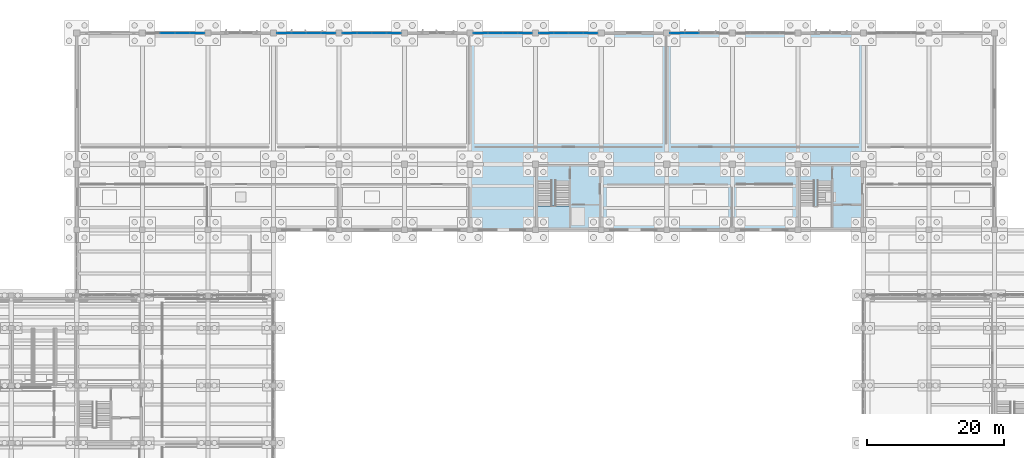
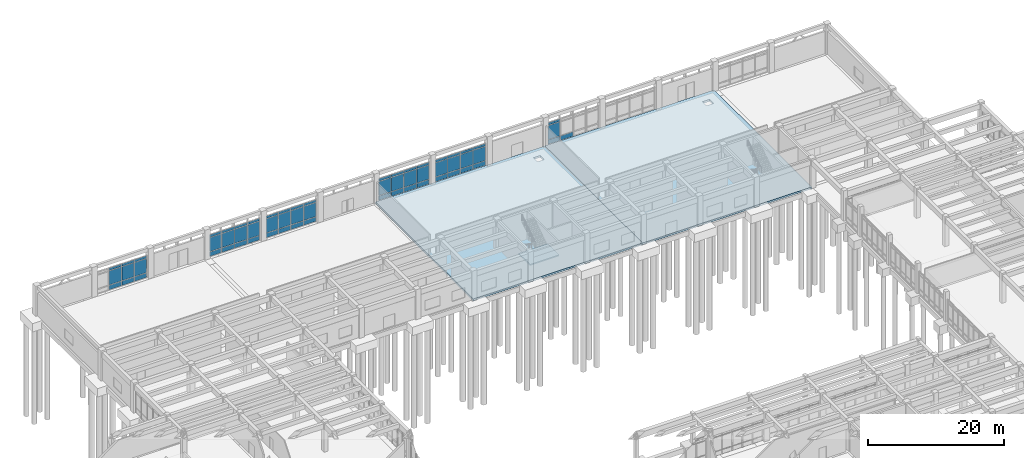
# One storey, part 61 of 102: 61 plates, 3 slabs, 7 elements without a shape of their own.
"""IFC4 building model written with IfcOpenShell, lengths in metres."""

from ifc_helpers import new_model, si_unit, direction, frame, origin, origin_2d, place, context, subcontext, project, spatial, polyline, rectangle, outline, extrude, material, layer, layer_set, type_object, element, aggregate, save


model = new_model("IFC4")

# Units and contexts
model_context = context("Model", 3, precision=1e-05, world=origin(), true_north=direction((0.0, 1.0)))
body_context = subcontext(model_context, "Body", "Model", "MODEL_VIEW")
ifc_project = project(units=[si_unit("LENGTHUNIT", "METRE"), si_unit("AREAUNIT", "SQUARE_METRE"), si_unit("VOLUMEUNIT", "CUBIC_METRE"), si_unit("PLANEANGLEUNIT", "RADIAN"), si_unit("MASSUNIT", "GRAM", prefix="KILO")], contexts=[model_context])

# Site, building, storey
site_placement = place(None, origin())
site = spatial("IfcSite", under=ifc_project, at=site_placement, CompositionType="ELEMENT")
building_placement = place(site_placement, origin())
building = spatial("IfcBuilding", under=site, at=building_placement, Name="Kolvemor Railside Polytechnic", CompositionType="ELEMENT")
storey_placement = place(building_placement, origin())
storey = spatial("IfcBuildingStorey", under=building, at=storey_placement, Name="L00", CompositionType="ELEMENT", Elevation=0.0)

# Curtain wall, plates
ifc_material_1 = material(Name="Anodised marine aluminium and laminated low-E glass", Category="aluminium")
ifc_layer_1 = layer(ifc_material_1, 0.179931640625, Name="CW-UNIT-WKS")
ifc_layer_set_1 = layer_set([ifc_layer_1], Name="Anodised marine aluminium and laminated low-E glass")
curtain_wall_type = type_object("IfcCurtainWallType", Name="CW-UNIT-WKS", PredefinedType="USERDEFINED", material=ifc_layer_set_1)
curtain_wall_1_placement = place(storey_placement, origin())
curtain_wall_1 = element("IfcCurtainWall", 1, at=curtain_wall_1_placement, inside=storey, type_object=curtain_wall_type, Name="Curtain Wall L00-001", ObjectType="UNITISED CURTAIN WALL", PredefinedType="USERDEFINED")
ifc_material_2 = material(Name="Hurricane-laminated solar-control low-E glass", Category="glass")
ifc_layer_2 = layer(ifc_material_2, 0.02587890625, Name="CWP-GLZ-03")
ifc_layer_set_2 = layer_set([ifc_layer_2], Name="Hurricane-laminated solar-control low-E glass")
plate_type_1 = type_object("IfcPlateType", Name="CWP-GLZ-03", PredefinedType="CURTAIN_PANEL", material=ifc_layer_set_2)
plate_1_placement = place(storey_placement, frame((36.828857421875, 120.0, 0.074951171875), z_axis=(0.0, 0.0, 1.0), x_axis=(-1.0, 0.0, 0.0)))
plate_1 = element("IfcPlate", 2, at=plate_1_placement, type_object=plate_type_1, Name="CW-WKS panel 1.1", PredefinedType="CURTAIN_PANEL", context=body_context, shape_type="SweptSolid", body=[
    extrude(rectangle(XDim=2.052490234375, YDim=0.02587890625, at=origin_2d()), origin(), (0.0, 0.0, 1.0), 0.78759765625),
])
plate_2_placement = place(storey_placement, frame((36.828857421875, 120.0, 0.9375), z_axis=(0.0, 0.0, 1.0), x_axis=(-1.0, 0.0, 0.0)))
plate_2 = element("IfcPlate", 3, at=plate_2_placement, type_object=plate_type_1, Name="CW-WKS panel 1.2", PredefinedType="CURTAIN_PANEL", context=body_context, shape_type="SweptSolid", body=[
    extrude(rectangle(XDim=2.052490234375, YDim=0.02587890625, at=origin_2d()), origin(), (0.0, 0.0, 1.0), 2.514892578125),
])
plate_3_placement = place(storey_placement, frame((36.828857421875, 120.0, 3.527587890625), z_axis=(0.0, 0.0, 1.0), x_axis=(-1.0, 0.0, 0.0)))
plate_3 = element("IfcPlate", 4, at=plate_3_placement, type_object=plate_type_1, Name="CW-WKS panel 1.3", PredefinedType="CURTAIN_PANEL", context=body_context, shape_type="SweptSolid", body=[
    extrude(rectangle(XDim=2.052490234375, YDim=0.02587890625, at=origin_2d()), origin(), (0.0, 0.0, 1.0), 0.4375),
])
plate_4_placement = place(storey_placement, frame((34.6826171875, 120.0, 0.074951171875), z_axis=(0.0, 0.0, 1.0), x_axis=(-1.0, 0.0, 0.0)))
plate_4 = element("IfcPlate", 5, at=plate_4_placement, type_object=plate_type_1, Name="CW-WKS panel 2.1", PredefinedType="CURTAIN_PANEL", context=body_context, shape_type="SweptSolid", body=[
    extrude(rectangle(XDim=2.090087890625, YDim=0.02587890625, at=origin_2d()), origin(), (0.0, 0.0, 1.0), 0.78759765625),
])
plate_5_placement = place(storey_placement, frame((34.6826171875, 120.0, 0.9375), z_axis=(0.0, 0.0, 1.0), x_axis=(-1.0, 0.0, 0.0)))
plate_5 = element("IfcPlate", 6, at=plate_5_placement, type_object=plate_type_1, Name="CW-WKS panel 2.2", PredefinedType="CURTAIN_PANEL", context=body_context, shape_type="SweptSolid", body=[
    extrude(rectangle(XDim=2.090087890625, YDim=0.02587890625, at=origin_2d()), origin(), (0.0, 0.0, 1.0), 2.514892578125),
])
plate_6_placement = place(storey_placement, frame((34.6826171875, 120.0, 3.527587890625), z_axis=(0.0, 0.0, 1.0), x_axis=(-1.0, 0.0, 0.0)))
plate_6 = element("IfcPlate", 7, at=plate_6_placement, type_object=plate_type_1, Name="CW-WKS panel 2.3", PredefinedType="CURTAIN_PANEL", context=body_context, shape_type="SweptSolid", body=[
    extrude(rectangle(XDim=2.090087890625, YDim=0.02587890625, at=origin_2d()), origin(), (0.0, 0.0, 1.0), 0.4375),
])
plate_7_placement = place(storey_placement, frame((32.517578125, 120.0, 0.074951171875), z_axis=(0.0, 0.0, 1.0), x_axis=(-1.0, 0.0, 0.0)))
plate_7 = element("IfcPlate", 8, at=plate_7_placement, type_object=plate_type_1, Name="CW-WKS panel 3.1", PredefinedType="CURTAIN_PANEL", context=body_context, shape_type="SweptSolid", body=[
    extrude(rectangle(XDim=2.090087890625, YDim=0.02587890625, at=origin_2d()), origin(), (0.0, 0.0, 1.0), 0.78759765625),
])
plate_8_placement = place(storey_placement, frame((32.517578125, 120.0, 0.9375), z_axis=(0.0, 0.0, 1.0), x_axis=(-1.0, 0.0, 0.0)))
plate_8 = element("IfcPlate", 9, at=plate_8_placement, type_object=plate_type_1, Name="CW-WKS panel 3.2", PredefinedType="CURTAIN_PANEL", context=body_context, shape_type="SweptSolid", body=[
    extrude(rectangle(XDim=2.090087890625, YDim=0.02587890625, at=origin_2d()), origin(), (0.0, 0.0, 1.0), 2.514892578125),
])
plate_9_placement = place(storey_placement, frame((32.517578125, 120.0, 3.527587890625), z_axis=(0.0, 0.0, 1.0), x_axis=(-1.0, 0.0, 0.0)))
plate_9 = element("IfcPlate", 10, at=plate_9_placement, type_object=plate_type_1, Name="CW-WKS panel 3.3", PredefinedType="CURTAIN_PANEL", context=body_context, shape_type="SweptSolid", body=[
    extrude(rectangle(XDim=2.090087890625, YDim=0.02587890625, at=origin_2d()), origin(), (0.0, 0.0, 1.0), 0.4375),
])
aggregate(curtain_wall_1, [plate_1, plate_2, plate_3, plate_4, plate_5, plate_6, plate_7, plate_8, plate_9])

curtain_wall_2_placement = place(storey_placement, origin())
curtain_wall_2 = element("IfcCurtainWall", 11, at=curtain_wall_2_placement, inside=storey, type_object=curtain_wall_type, Name="Curtain Wall L00-004", ObjectType="UNITISED CURTAIN WALL", PredefinedType="USERDEFINED")
ifc_material_3 = material(Name="Hurricane-laminated solar-control low-E glass", Category="glass")
ifc_layer_3 = layer(ifc_material_3, 0.030029296875, Name="CWP-GLZ-05")
ifc_layer_set_3 = layer_set([ifc_layer_3], Name="Hurricane-laminated solar-control low-E glass")
plate_type_2 = type_object("IfcPlateType", Name="CWP-GLZ-05", PredefinedType="CURTAIN_PANEL", material=ifc_layer_set_3)
plate_10_placement = place(storey_placement, frame((56.02880859375, 120.0, 0.074951171875), z_axis=(0.0, 0.0, 1.0), x_axis=(-1.0, 0.0, 0.0)))
plate_10 = element("IfcPlate", 12, at=plate_10_placement, type_object=plate_type_2, Name="CW-WKS panel 1.1", PredefinedType="CURTAIN_PANEL", context=body_context, shape_type="SweptSolid", body=[
    extrude(rectangle(XDim=2.052490234375, YDim=0.030029296875, at=origin_2d()), origin(), (0.0, 0.0, 1.0), 0.78759765625),
])
plate_11_placement = place(storey_placement, frame((56.02880859375, 120.0, 0.9375), z_axis=(0.0, 0.0, 1.0), x_axis=(-1.0, 0.0, 0.0)))
plate_11 = element("IfcPlate", 13, at=plate_11_placement, type_object=plate_type_2, Name="CW-WKS panel 1.2", PredefinedType="CURTAIN_PANEL", context=body_context, shape_type="SweptSolid", body=[
    extrude(rectangle(XDim=2.052490234375, YDim=0.030029296875, at=origin_2d()), origin(), (0.0, 0.0, 1.0), 2.514892578125),
])
plate_12_placement = place(storey_placement, frame((56.02880859375, 120.0, 3.527587890625), z_axis=(0.0, 0.0, 1.0), x_axis=(-1.0, 0.0, 0.0)))
plate_12 = element("IfcPlate", 14, at=plate_12_placement, type_object=plate_type_2, Name="CW-WKS panel 1.3", PredefinedType="CURTAIN_PANEL", context=body_context, shape_type="SweptSolid", body=[
    extrude(rectangle(XDim=2.052490234375, YDim=0.030029296875, at=origin_2d()), origin(), (0.0, 0.0, 1.0), 0.4375),
])
plate_13_placement = place(storey_placement, frame((53.882568359375, 120.0, 0.074951171875), z_axis=(0.0, 0.0, 1.0), x_axis=(-1.0, 0.0, 0.0)))
plate_13 = element("IfcPlate", 15, at=plate_13_placement, type_object=plate_type_2, Name="CW-WKS panel 2.1", PredefinedType="CURTAIN_PANEL", context=body_context, shape_type="SweptSolid", body=[
    extrude(rectangle(XDim=2.090087890625, YDim=0.030029296875, at=origin_2d()), origin(), (0.0, 0.0, 1.0), 0.78759765625),
])
plate_14_placement = place(storey_placement, frame((53.882568359375, 120.0, 0.9375), z_axis=(0.0, 0.0, 1.0), x_axis=(-1.0, 0.0, 0.0)))
plate_14 = element("IfcPlate", 16, at=plate_14_placement, type_object=plate_type_2, Name="CW-WKS panel 2.2", PredefinedType="CURTAIN_PANEL", context=body_context, shape_type="SweptSolid", body=[
    extrude(rectangle(XDim=2.090087890625, YDim=0.030029296875, at=origin_2d()), origin(), (0.0, 0.0, 1.0), 2.514892578125),
])
plate_15_placement = place(storey_placement, frame((53.882568359375, 120.0, 3.527587890625), z_axis=(0.0, 0.0, 1.0), x_axis=(-1.0, 0.0, 0.0)))
plate_15 = element("IfcPlate", 17, at=plate_15_placement, type_object=plate_type_2, Name="CW-WKS panel 2.3", PredefinedType="CURTAIN_PANEL", context=body_context, shape_type="SweptSolid", body=[
    extrude(rectangle(XDim=2.090087890625, YDim=0.030029296875, at=origin_2d()), origin(), (0.0, 0.0, 1.0), 0.4375),
])
plate_16_placement = place(storey_placement, frame((51.717529296875, 120.0, 0.074951171875), z_axis=(0.0, 0.0, 1.0), x_axis=(-1.0, 0.0, 0.0)))
plate_16 = element("IfcPlate", 18, at=plate_16_placement, type_object=plate_type_2, Name="CW-WKS panel 3.1", PredefinedType="CURTAIN_PANEL", context=body_context, shape_type="SweptSolid", body=[
    extrude(rectangle(XDim=2.090087890625, YDim=0.030029296875, at=origin_2d()), origin(), (0.0, 0.0, 1.0), 0.78759765625),
])
plate_17_placement = place(storey_placement, frame((51.717529296875, 120.0, 0.9375), z_axis=(0.0, 0.0, 1.0), x_axis=(-1.0, 0.0, 0.0)))
plate_17 = element("IfcPlate", 19, at=plate_17_placement, type_object=plate_type_2, Name="CW-WKS panel 3.2", PredefinedType="CURTAIN_PANEL", context=body_context, shape_type="SweptSolid", body=[
    extrude(rectangle(XDim=2.090087890625, YDim=0.030029296875, at=origin_2d()), origin(), (0.0, 0.0, 1.0), 2.514892578125),
])
plate_18_placement = place(storey_placement, frame((51.717529296875, 120.0, 3.527587890625), z_axis=(0.0, 0.0, 1.0), x_axis=(-1.0, 0.0, 0.0)))
plate_18 = element("IfcPlate", 20, at=plate_18_placement, type_object=plate_type_2, Name="CW-WKS panel 3.3", PredefinedType="CURTAIN_PANEL", context=body_context, shape_type="SweptSolid", body=[
    extrude(rectangle(XDim=2.090087890625, YDim=0.030029296875, at=origin_2d()), origin(), (0.0, 0.0, 1.0), 0.4375),
])
plate_19_placement = place(storey_placement, frame((49.5712890625, 120.0, 0.074951171875), z_axis=(0.0, 0.0, 1.0), x_axis=(-1.0, 0.0, 0.0)))
plate_19 = element("IfcPlate", 21, at=plate_19_placement, type_object=plate_type_2, Name="CW-WKS panel 4.1", PredefinedType="CURTAIN_PANEL", context=body_context, shape_type="SweptSolid", body=[
    extrude(rectangle(XDim=2.052490234375, YDim=0.030029296875, at=origin_2d()), origin(), (0.0, 0.0, 1.0), 0.78759765625),
])
plate_20_placement = place(storey_placement, frame((49.5712890625, 120.0, 0.9375), z_axis=(0.0, 0.0, 1.0), x_axis=(-1.0, 0.0, 0.0)))
plate_20 = element("IfcPlate", 22, at=plate_20_placement, type_object=plate_type_2, Name="CW-WKS panel 4.2", PredefinedType="CURTAIN_PANEL", context=body_context, shape_type="SweptSolid", body=[
    extrude(rectangle(XDim=2.052490234375, YDim=0.030029296875, at=origin_2d()), origin(), (0.0, 0.0, 1.0), 2.514892578125),
])
plate_21_placement = place(storey_placement, frame((49.5712890625, 120.0, 3.527587890625), z_axis=(0.0, 0.0, 1.0), x_axis=(-1.0, 0.0, 0.0)))
plate_21 = element("IfcPlate", 23, at=plate_21_placement, type_object=plate_type_2, Name="CW-WKS panel 4.3", PredefinedType="CURTAIN_PANEL", context=body_context, shape_type="SweptSolid", body=[
    extrude(rectangle(XDim=2.052490234375, YDim=0.030029296875, at=origin_2d()), origin(), (0.0, 0.0, 1.0), 0.4375),
])
aggregate(curtain_wall_2, [plate_10, plate_11, plate_12, plate_13, plate_14, plate_15, plate_16, plate_17, plate_18, plate_19, plate_20, plate_21])

curtain_wall_3_placement = place(storey_placement, origin())
curtain_wall_3 = element("IfcCurtainWall", 24, at=curtain_wall_3_placement, inside=storey, type_object=curtain_wall_type, Name="Curtain Wall L00-007", ObjectType="UNITISED CURTAIN WALL", PredefinedType="USERDEFINED")
ifc_material_4 = material(Name="Hurricane-laminated solar-control low-E glass", Category="glass")
ifc_layer_4 = layer(ifc_material_4, 0.031982421875, Name="CWP-GLZ-06")
ifc_layer_set_4 = layer_set([ifc_layer_4], Name="Hurricane-laminated solar-control low-E glass")
plate_type_3 = type_object("IfcPlateType", Name="CWP-GLZ-06", PredefinedType="CURTAIN_PANEL", material=ifc_layer_set_4)
plate_22_placement = place(storey_placement, frame((65.628662109375, 120.0, 0.074951171875), z_axis=(0.0, 0.0, 1.0), x_axis=(-1.0, 0.0, 0.0)))
plate_22 = element("IfcPlate", 25, at=plate_22_placement, type_object=plate_type_3, Name="CW-WKS panel 1.1", PredefinedType="CURTAIN_PANEL", context=body_context, shape_type="SweptSolid", body=[
    extrude(rectangle(XDim=2.052490234375, YDim=0.031982421875, at=origin_2d()), origin(), (0.0, 0.0, 1.0), 0.78759765625),
])
plate_23_placement = place(storey_placement, frame((65.628662109375, 120.0, 0.9375), z_axis=(0.0, 0.0, 1.0), x_axis=(-1.0, 0.0, 0.0)))
plate_23 = element("IfcPlate", 26, at=plate_23_placement, type_object=plate_type_3, Name="CW-WKS panel 1.2", PredefinedType="CURTAIN_PANEL", context=body_context, shape_type="SweptSolid", body=[
    extrude(rectangle(XDim=2.052490234375, YDim=0.031982421875, at=origin_2d()), origin(), (0.0, 0.0, 1.0), 2.514892578125),
])
plate_24_placement = place(storey_placement, frame((65.628662109375, 120.0, 3.527587890625), z_axis=(0.0, 0.0, 1.0), x_axis=(-1.0, 0.0, 0.0)))
plate_24 = element("IfcPlate", 27, at=plate_24_placement, type_object=plate_type_3, Name="CW-WKS panel 1.3", PredefinedType="CURTAIN_PANEL", context=body_context, shape_type="SweptSolid", body=[
    extrude(rectangle(XDim=2.052490234375, YDim=0.031982421875, at=origin_2d()), origin(), (0.0, 0.0, 1.0), 0.4375),
])
plate_25_placement = place(storey_placement, frame((63.482421875, 120.0, 0.074951171875), z_axis=(0.0, 0.0, 1.0), x_axis=(-1.0, 0.0, 0.0)))
plate_25 = element("IfcPlate", 28, at=plate_25_placement, type_object=plate_type_3, Name="CW-WKS panel 2.1", PredefinedType="CURTAIN_PANEL", context=body_context, shape_type="SweptSolid", body=[
    extrude(rectangle(XDim=2.090087890625, YDim=0.031982421875, at=origin_2d()), origin(), (0.0, 0.0, 1.0), 0.78759765625),
])
plate_26_placement = place(storey_placement, frame((63.482421875, 120.0, 0.9375), z_axis=(0.0, 0.0, 1.0), x_axis=(-1.0, 0.0, 0.0)))
plate_26 = element("IfcPlate", 29, at=plate_26_placement, type_object=plate_type_3, Name="CW-WKS panel 2.2", PredefinedType="CURTAIN_PANEL", context=body_context, shape_type="SweptSolid", body=[
    extrude(rectangle(XDim=2.090087890625, YDim=0.031982421875, at=origin_2d()), origin(), (0.0, 0.0, 1.0), 2.514892578125),
])
plate_27_placement = place(storey_placement, frame((63.482421875, 120.0, 3.527587890625), z_axis=(0.0, 0.0, 1.0), x_axis=(-1.0, 0.0, 0.0)))
plate_27 = element("IfcPlate", 30, at=plate_27_placement, type_object=plate_type_3, Name="CW-WKS panel 2.3", PredefinedType="CURTAIN_PANEL", context=body_context, shape_type="SweptSolid", body=[
    extrude(rectangle(XDim=2.090087890625, YDim=0.031982421875, at=origin_2d()), origin(), (0.0, 0.0, 1.0), 0.4375),
])
plate_28_placement = place(storey_placement, frame((61.3173828125, 120.0, 0.074951171875), z_axis=(0.0, 0.0, 1.0), x_axis=(-1.0, 0.0, 0.0)))
plate_28 = element("IfcPlate", 31, at=plate_28_placement, type_object=plate_type_3, Name="CW-WKS panel 3.1", PredefinedType="CURTAIN_PANEL", context=body_context, shape_type="SweptSolid", body=[
    extrude(rectangle(XDim=2.090087890625, YDim=0.031982421875, at=origin_2d()), origin(), (0.0, 0.0, 1.0), 0.78759765625),
])
plate_29_placement = place(storey_placement, frame((61.3173828125, 120.0, 0.9375), z_axis=(0.0, 0.0, 1.0), x_axis=(-1.0, 0.0, 0.0)))
plate_29 = element("IfcPlate", 32, at=plate_29_placement, type_object=plate_type_3, Name="CW-WKS panel 3.2", PredefinedType="CURTAIN_PANEL", context=body_context, shape_type="SweptSolid", body=[
    extrude(rectangle(XDim=2.090087890625, YDim=0.031982421875, at=origin_2d()), origin(), (0.0, 0.0, 1.0), 2.514892578125),
])
plate_30_placement = place(storey_placement, frame((61.3173828125, 120.0, 3.527587890625), z_axis=(0.0, 0.0, 1.0), x_axis=(-1.0, 0.0, 0.0)))
plate_30 = element("IfcPlate", 33, at=plate_30_placement, type_object=plate_type_3, Name="CW-WKS panel 3.3", PredefinedType="CURTAIN_PANEL", context=body_context, shape_type="SweptSolid", body=[
    extrude(rectangle(XDim=2.090087890625, YDim=0.031982421875, at=origin_2d()), origin(), (0.0, 0.0, 1.0), 0.4375),
])
plate_31_placement = place(storey_placement, frame((59.171142578125, 120.0, 0.074951171875), z_axis=(0.0, 0.0, 1.0), x_axis=(-1.0, 0.0, 0.0)))
plate_31 = element("IfcPlate", 34, at=plate_31_placement, type_object=plate_type_3, Name="CW-WKS panel 4.1", PredefinedType="CURTAIN_PANEL", context=body_context, shape_type="SweptSolid", body=[
    extrude(rectangle(XDim=2.052490234375, YDim=0.031982421875, at=origin_2d()), origin(), (0.0, 0.0, 1.0), 0.78759765625),
])
plate_32_placement = place(storey_placement, frame((59.171142578125, 120.0, 0.9375), z_axis=(0.0, 0.0, 1.0), x_axis=(-1.0, 0.0, 0.0)))
plate_32 = element("IfcPlate", 35, at=plate_32_placement, type_object=plate_type_3, Name="CW-WKS panel 4.2", PredefinedType="CURTAIN_PANEL", context=body_context, shape_type="SweptSolid", body=[
    extrude(rectangle(XDim=2.052490234375, YDim=0.031982421875, at=origin_2d()), origin(), (0.0, 0.0, 1.0), 2.514892578125),
])
plate_33_placement = place(storey_placement, frame((59.171142578125, 120.0, 3.527587890625), z_axis=(0.0, 0.0, 1.0), x_axis=(-1.0, 0.0, 0.0)))
plate_33 = element("IfcPlate", 36, at=plate_33_placement, type_object=plate_type_3, Name="CW-WKS panel 4.3", PredefinedType="CURTAIN_PANEL", context=body_context, shape_type="SweptSolid", body=[
    extrude(rectangle(XDim=2.052490234375, YDim=0.031982421875, at=origin_2d()), origin(), (0.0, 0.0, 1.0), 0.4375),
])
aggregate(curtain_wall_3, [plate_22, plate_23, plate_24, plate_25, plate_26, plate_27, plate_28, plate_29, plate_30, plate_31, plate_32, plate_33])

curtain_wall_4_placement = place(storey_placement, origin())
curtain_wall_4 = element("IfcCurtainWall", 37, at=curtain_wall_4_placement, inside=storey, type_object=curtain_wall_type, Name="Curtain Wall L00-012", ObjectType="UNITISED CURTAIN WALL", PredefinedType="USERDEFINED")
ifc_material_5 = material(Name="Hurricane-laminated solar-control low-E glass", Category="glass")
ifc_layer_5 = layer(ifc_material_5, 0.035888671875, Name="CWP-GLZ-08")
ifc_layer_set_5 = layer_set([ifc_layer_5], Name="Hurricane-laminated solar-control low-E glass")
plate_type_4 = type_object("IfcPlateType", Name="CWP-GLZ-08", PredefinedType="CURTAIN_PANEL", material=ifc_layer_set_5)
plate_34_placement = place(storey_placement, frame((84.828857421875, 120.0, 0.074951171875), z_axis=(0.0, 0.0, 1.0), x_axis=(-1.0, 0.0, 0.0)))
plate_34 = element("IfcPlate", 38, at=plate_34_placement, type_object=plate_type_4, Name="CW-WKS panel 1.1", PredefinedType="CURTAIN_PANEL", context=body_context, shape_type="SweptSolid", body=[
    extrude(rectangle(XDim=2.052490234375, YDim=0.035888671875, at=origin_2d()), origin(), (0.0, 0.0, 1.0), 0.78759765625),
])
plate_35_placement = place(storey_placement, frame((84.828857421875, 120.0, 0.9375), z_axis=(0.0, 0.0, 1.0), x_axis=(-1.0, 0.0, 0.0)))
plate_35 = element("IfcPlate", 39, at=plate_35_placement, type_object=plate_type_4, Name="CW-WKS panel 1.2", PredefinedType="CURTAIN_PANEL", context=body_context, shape_type="SweptSolid", body=[
    extrude(rectangle(XDim=2.052490234375, YDim=0.035888671875, at=origin_2d()), origin(), (0.0, 0.0, 1.0), 2.514892578125),
])
plate_36_placement = place(storey_placement, frame((84.828857421875, 120.0, 3.527587890625), z_axis=(0.0, 0.0, 1.0), x_axis=(-1.0, 0.0, 0.0)))
plate_36 = element("IfcPlate", 40, at=plate_36_placement, type_object=plate_type_4, Name="CW-WKS panel 1.3", PredefinedType="CURTAIN_PANEL", context=body_context, shape_type="SweptSolid", body=[
    extrude(rectangle(XDim=2.052490234375, YDim=0.035888671875, at=origin_2d()), origin(), (0.0, 0.0, 1.0), 0.4375),
])
plate_37_placement = place(storey_placement, frame((82.6826171875, 120.0, 0.074951171875), z_axis=(0.0, 0.0, 1.0), x_axis=(-1.0, 0.0, 0.0)))
plate_37 = element("IfcPlate", 41, at=plate_37_placement, type_object=plate_type_4, Name="CW-WKS panel 2.1", PredefinedType="CURTAIN_PANEL", context=body_context, shape_type="SweptSolid", body=[
    extrude(rectangle(XDim=2.090087890625, YDim=0.035888671875, at=origin_2d()), origin(), (0.0, 0.0, 1.0), 0.78759765625),
])
plate_38_placement = place(storey_placement, frame((82.6826171875, 120.0, 0.9375), z_axis=(0.0, 0.0, 1.0), x_axis=(-1.0, 0.0, 0.0)))
plate_38 = element("IfcPlate", 42, at=plate_38_placement, type_object=plate_type_4, Name="CW-WKS panel 2.2", PredefinedType="CURTAIN_PANEL", context=body_context, shape_type="SweptSolid", body=[
    extrude(rectangle(XDim=2.090087890625, YDim=0.035888671875, at=origin_2d()), origin(), (0.0, 0.0, 1.0), 2.514892578125),
])
plate_39_placement = place(storey_placement, frame((82.6826171875, 120.0, 3.527587890625), z_axis=(0.0, 0.0, 1.0), x_axis=(-1.0, 0.0, 0.0)))
plate_39 = element("IfcPlate", 43, at=plate_39_placement, type_object=plate_type_4, Name="CW-WKS panel 2.3", PredefinedType="CURTAIN_PANEL", context=body_context, shape_type="SweptSolid", body=[
    extrude(rectangle(XDim=2.090087890625, YDim=0.035888671875, at=origin_2d()), origin(), (0.0, 0.0, 1.0), 0.4375),
])
plate_40_placement = place(storey_placement, frame((80.517578125, 120.0, 0.074951171875), z_axis=(0.0, 0.0, 1.0), x_axis=(-1.0, 0.0, 0.0)))
plate_40 = element("IfcPlate", 44, at=plate_40_placement, type_object=plate_type_4, Name="CW-WKS panel 3.1", PredefinedType="CURTAIN_PANEL", context=body_context, shape_type="SweptSolid", body=[
    extrude(rectangle(XDim=2.090087890625, YDim=0.035888671875, at=origin_2d()), origin(), (0.0, 0.0, 1.0), 0.78759765625),
])
plate_41_placement = place(storey_placement, frame((80.517578125, 120.0, 0.9375), z_axis=(0.0, 0.0, 1.0), x_axis=(-1.0, 0.0, 0.0)))
plate_41 = element("IfcPlate", 45, at=plate_41_placement, type_object=plate_type_4, Name="CW-WKS panel 3.2", PredefinedType="CURTAIN_PANEL", context=body_context, shape_type="SweptSolid", body=[
    extrude(rectangle(XDim=2.090087890625, YDim=0.035888671875, at=origin_2d()), origin(), (0.0, 0.0, 1.0), 2.514892578125),
])
plate_42_placement = place(storey_placement, frame((80.517578125, 120.0, 3.527587890625), z_axis=(0.0, 0.0, 1.0), x_axis=(-1.0, 0.0, 0.0)))
plate_42 = element("IfcPlate", 46, at=plate_42_placement, type_object=plate_type_4, Name="CW-WKS panel 3.3", PredefinedType="CURTAIN_PANEL", context=body_context, shape_type="SweptSolid", body=[
    extrude(rectangle(XDim=2.090087890625, YDim=0.035888671875, at=origin_2d()), origin(), (0.0, 0.0, 1.0), 0.4375),
])
plate_43_placement = place(storey_placement, frame((78.371337890625, 120.0, 0.074951171875), z_axis=(0.0, 0.0, 1.0), x_axis=(-1.0, 0.0, 0.0)))
plate_43 = element("IfcPlate", 47, at=plate_43_placement, type_object=plate_type_4, Name="CW-WKS panel 4.1", PredefinedType="CURTAIN_PANEL", context=body_context, shape_type="SweptSolid", body=[
    extrude(rectangle(XDim=2.052490234375, YDim=0.035888671875, at=origin_2d()), origin(), (0.0, 0.0, 1.0), 0.78759765625),
])
plate_44_placement = place(storey_placement, frame((78.371337890625, 120.0, 0.9375), z_axis=(0.0, 0.0, 1.0), x_axis=(-1.0, 0.0, 0.0)))
plate_44 = element("IfcPlate", 48, at=plate_44_placement, type_object=plate_type_4, Name="CW-WKS panel 4.2", PredefinedType="CURTAIN_PANEL", context=body_context, shape_type="SweptSolid", body=[
    extrude(rectangle(XDim=2.052490234375, YDim=0.035888671875, at=origin_2d()), origin(), (0.0, 0.0, 1.0), 2.514892578125),
])
plate_45_placement = place(storey_placement, frame((78.371337890625, 120.0, 3.527587890625), z_axis=(0.0, 0.0, 1.0), x_axis=(-1.0, 0.0, 0.0)))
plate_45 = element("IfcPlate", 49, at=plate_45_placement, type_object=plate_type_4, Name="CW-WKS panel 4.3", PredefinedType="CURTAIN_PANEL", context=body_context, shape_type="SweptSolid", body=[
    extrude(rectangle(XDim=2.052490234375, YDim=0.035888671875, at=origin_2d()), origin(), (0.0, 0.0, 1.0), 0.4375),
])
aggregate(curtain_wall_4, [plate_34, plate_35, plate_36, plate_37, plate_38, plate_39, plate_40, plate_41, plate_42, plate_43, plate_44, plate_45])

curtain_wall_5_placement = place(storey_placement, origin())
curtain_wall_5 = element("IfcCurtainWall", 50, at=curtain_wall_5_placement, inside=storey, type_object=curtain_wall_type, Name="Curtain Wall L00-015", ObjectType="UNITISED CURTAIN WALL", PredefinedType="USERDEFINED")
ifc_material_6 = material(Name="Hurricane-laminated solar-control low-E glass", Category="glass")
ifc_layer_6 = layer(ifc_material_6, 0.0380859375, Name="CWP-GLZ-09")
ifc_layer_set_6 = layer_set([ifc_layer_6], Name="Hurricane-laminated solar-control low-E glass")
plate_type_5 = type_object("IfcPlateType", Name="CWP-GLZ-09", PredefinedType="CURTAIN_PANEL", material=ifc_layer_set_6)
plate_46_placement = place(storey_placement, frame((94.4287109375, 120.0, 0.074951171875), z_axis=(0.0, 0.0, 1.0), x_axis=(-1.0, 0.0, 0.0)))
plate_46 = element("IfcPlate", 51, at=plate_46_placement, type_object=plate_type_5, Name="CW-WKS panel 1.1", PredefinedType="CURTAIN_PANEL", context=body_context, shape_type="SweptSolid", body=[
    extrude(rectangle(XDim=2.052490234375, YDim=0.0380859375, at=origin_2d()), origin(), (0.0, 0.0, 1.0), 0.78759765625),
])
plate_47_placement = place(storey_placement, frame((94.4287109375, 120.0, 0.9375), z_axis=(0.0, 0.0, 1.0), x_axis=(-1.0, 0.0, 0.0)))
plate_47 = element("IfcPlate", 52, at=plate_47_placement, type_object=plate_type_5, Name="CW-WKS panel 1.2", PredefinedType="CURTAIN_PANEL", context=body_context, shape_type="SweptSolid", body=[
    extrude(rectangle(XDim=2.052490234375, YDim=0.0380859375, at=origin_2d()), origin(), (0.0, 0.0, 1.0), 2.514892578125),
])
plate_48_placement = place(storey_placement, frame((94.4287109375, 120.0, 3.527587890625), z_axis=(0.0, 0.0, 1.0), x_axis=(-1.0, 0.0, 0.0)))
plate_48 = element("IfcPlate", 53, at=plate_48_placement, type_object=plate_type_5, Name="CW-WKS panel 1.3", PredefinedType="CURTAIN_PANEL", context=body_context, shape_type="SweptSolid", body=[
    extrude(rectangle(XDim=2.052490234375, YDim=0.0380859375, at=origin_2d()), origin(), (0.0, 0.0, 1.0), 0.4375),
])
plate_49_placement = place(storey_placement, frame((92.282470703125, 120.0, 0.074951171875), z_axis=(0.0, 0.0, 1.0), x_axis=(-1.0, 0.0, 0.0)))
plate_49 = element("IfcPlate", 54, at=plate_49_placement, type_object=plate_type_5, Name="CW-WKS panel 2.1", PredefinedType="CURTAIN_PANEL", context=body_context, shape_type="SweptSolid", body=[
    extrude(rectangle(XDim=2.090087890625, YDim=0.0380859375, at=origin_2d()), origin(), (0.0, 0.0, 1.0), 0.78759765625),
])
plate_50_placement = place(storey_placement, frame((92.282470703125, 120.0, 0.9375), z_axis=(0.0, 0.0, 1.0), x_axis=(-1.0, 0.0, 0.0)))
plate_50 = element("IfcPlate", 55, at=plate_50_placement, type_object=plate_type_5, Name="CW-WKS panel 2.2", PredefinedType="CURTAIN_PANEL", context=body_context, shape_type="SweptSolid", body=[
    extrude(rectangle(XDim=2.090087890625, YDim=0.0380859375, at=origin_2d()), origin(), (0.0, 0.0, 1.0), 2.514892578125),
])
plate_51_placement = place(storey_placement, frame((92.282470703125, 120.0, 3.527587890625), z_axis=(0.0, 0.0, 1.0), x_axis=(-1.0, 0.0, 0.0)))
plate_51 = element("IfcPlate", 56, at=plate_51_placement, type_object=plate_type_5, Name="CW-WKS panel 2.3", PredefinedType="CURTAIN_PANEL", context=body_context, shape_type="SweptSolid", body=[
    extrude(rectangle(XDim=2.090087890625, YDim=0.0380859375, at=origin_2d()), origin(), (0.0, 0.0, 1.0), 0.4375),
])
plate_52_placement = place(storey_placement, frame((90.117431640625, 120.0, 0.074951171875), z_axis=(0.0, 0.0, 1.0), x_axis=(-1.0, 0.0, 0.0)))
plate_52 = element("IfcPlate", 57, at=plate_52_placement, type_object=plate_type_5, Name="CW-WKS panel 3.1", PredefinedType="CURTAIN_PANEL", context=body_context, shape_type="SweptSolid", body=[
    extrude(rectangle(XDim=2.090087890625, YDim=0.0380859375, at=origin_2d()), origin(), (0.0, 0.0, 1.0), 0.78759765625),
])
plate_53_placement = place(storey_placement, frame((90.117431640625, 120.0, 0.9375), z_axis=(0.0, 0.0, 1.0), x_axis=(-1.0, 0.0, 0.0)))
plate_53 = element("IfcPlate", 58, at=plate_53_placement, type_object=plate_type_5, Name="CW-WKS panel 3.2", PredefinedType="CURTAIN_PANEL", context=body_context, shape_type="SweptSolid", body=[
    extrude(rectangle(XDim=2.090087890625, YDim=0.0380859375, at=origin_2d()), origin(), (0.0, 0.0, 1.0), 2.514892578125),
])
plate_54_placement = place(storey_placement, frame((90.117431640625, 120.0, 3.527587890625), z_axis=(0.0, 0.0, 1.0), x_axis=(-1.0, 0.0, 0.0)))
plate_54 = element("IfcPlate", 59, at=plate_54_placement, type_object=plate_type_5, Name="CW-WKS panel 3.3", PredefinedType="CURTAIN_PANEL", context=body_context, shape_type="SweptSolid", body=[
    extrude(rectangle(XDim=2.090087890625, YDim=0.0380859375, at=origin_2d()), origin(), (0.0, 0.0, 1.0), 0.4375),
])
plate_55_placement = place(storey_placement, frame((87.97119140625, 120.0, 0.074951171875), z_axis=(0.0, 0.0, 1.0), x_axis=(-1.0, 0.0, 0.0)))
plate_55 = element("IfcPlate", 60, at=plate_55_placement, type_object=plate_type_5, Name="CW-WKS panel 4.1", PredefinedType="CURTAIN_PANEL", context=body_context, shape_type="SweptSolid", body=[
    extrude(rectangle(XDim=2.052490234375, YDim=0.0380859375, at=origin_2d()), origin(), (0.0, 0.0, 1.0), 0.78759765625),
])
plate_56_placement = place(storey_placement, frame((87.97119140625, 120.0, 0.9375), z_axis=(0.0, 0.0, 1.0), x_axis=(-1.0, 0.0, 0.0)))
plate_56 = element("IfcPlate", 61, at=plate_56_placement, type_object=plate_type_5, Name="CW-WKS panel 4.2", PredefinedType="CURTAIN_PANEL", context=body_context, shape_type="SweptSolid", body=[
    extrude(rectangle(XDim=2.052490234375, YDim=0.0380859375, at=origin_2d()), origin(), (0.0, 0.0, 1.0), 2.514892578125),
])
plate_57_placement = place(storey_placement, frame((87.97119140625, 120.0, 3.527587890625), z_axis=(0.0, 0.0, 1.0), x_axis=(-1.0, 0.0, 0.0)))
plate_57 = element("IfcPlate", 62, at=plate_57_placement, type_object=plate_type_5, Name="CW-WKS panel 4.3", PredefinedType="CURTAIN_PANEL", context=body_context, shape_type="SweptSolid", body=[
    extrude(rectangle(XDim=2.052490234375, YDim=0.0380859375, at=origin_2d()), origin(), (0.0, 0.0, 1.0), 0.4375),
])
aggregate(curtain_wall_5, [plate_46, plate_47, plate_48, plate_49, plate_50, plate_51, plate_52, plate_53, plate_54, plate_55, plate_56, plate_57])

curtain_wall_6_placement = place(storey_placement, origin())
curtain_wall_6 = element("IfcCurtainWall", 63, at=curtain_wall_6_placement, inside=storey, type_object=curtain_wall_type, Name="Curtain Wall L00-019", ObjectType="UNITISED CURTAIN WALL", PredefinedType="USERDEFINED")
ifc_material_7 = material(Name="Hurricane-laminated solar-control low-E glass", Category="glass")
ifc_layer_7 = layer(ifc_material_7, 0.0419921875, Name="CWP-GLZ-11")
ifc_layer_set_7 = layer_set([ifc_layer_7], Name="Hurricane-laminated solar-control low-E glass")
plate_type_6 = type_object("IfcPlateType", Name="CWP-GLZ-11", PredefinedType="CURTAIN_PANEL", material=ifc_layer_set_7)
plate_58_placement = place(storey_placement, frame((109.3173828125, 120.0, 0.074951171875), z_axis=(0.0, 0.0, 1.0), x_axis=(-1.0, 0.0, 0.0)))
plate_58 = element("IfcPlate", 64, at=plate_58_placement, type_object=plate_type_6, Name="CW-WKS panel 3.1", PredefinedType="CURTAIN_PANEL", context=body_context, shape_type="SweptSolid", body=[
    extrude(rectangle(XDim=2.090087890625, YDim=0.0419921875, at=origin_2d()), origin(), (0.0, 0.0, 1.0), 0.78759765625),
])
plate_59_placement = place(storey_placement, frame((107.171142578125, 120.0, 0.074951171875), z_axis=(0.0, 0.0, 1.0), x_axis=(-1.0, 0.0, 0.0)))
plate_59 = element("IfcPlate", 65, at=plate_59_placement, type_object=plate_type_6, Name="CW-WKS panel 4.1", PredefinedType="CURTAIN_PANEL", context=body_context, shape_type="SweptSolid", body=[
    extrude(rectangle(XDim=2.052490234375, YDim=0.0419921875, at=origin_2d()), origin(), (0.0, 0.0, 1.0), 0.78759765625),
])
plate_60_placement = place(storey_placement, frame((107.171142578125, 120.0, 0.9375), z_axis=(0.0, 0.0, 1.0), x_axis=(-1.0, 0.0, 0.0)))
plate_60 = element("IfcPlate", 66, at=plate_60_placement, type_object=plate_type_6, Name="CW-WKS panel 4.2", PredefinedType="CURTAIN_PANEL", context=body_context, shape_type="SweptSolid", body=[
    extrude(rectangle(XDim=2.052490234375, YDim=0.0419921875, at=origin_2d()), origin(), (0.0, 0.0, 1.0), 2.514892578125),
])
plate_61_placement = place(storey_placement, frame((107.171142578125, 120.0, 3.527587890625), z_axis=(0.0, 0.0, 1.0), x_axis=(-1.0, 0.0, 0.0)))
plate_61 = element("IfcPlate", 67, at=plate_61_placement, type_object=plate_type_6, Name="CW-WKS panel 4.3", PredefinedType="CURTAIN_PANEL", context=body_context, shape_type="SweptSolid", body=[
    extrude(rectangle(XDim=2.052490234375, YDim=0.0419921875, at=origin_2d()), origin(), (0.0, 0.0, 1.0), 0.4375),
])
aggregate(curtain_wall_6, [plate_58, plate_59, plate_60, plate_61])

# Slabs
ifc_material_8 = material(Name="Concrete C40/50", Category="concrete")
ifc_layer_8 = layer(ifc_material_8, 0.35009765625, Name="SLB-BASE-WKS")
ifc_layer_set_8 = layer_set([ifc_layer_8], Name="Concrete C40/50")
slab_type_1 = type_object("IfcSlabType", Name="SLB-BASE-WKS", PredefinedType="BASESLAB", material=ifc_layer_set_8)
slab_1_placement = place(storey_placement, frame((0.0, 0.0, -0.35009765625)))
element("IfcSlab", 68, at=slab_1_placement, inside=storey, type_object=slab_type_1, Name="Workshop Base Slab L00-03", PredefinedType="BASESLAB", context=body_context, shape_type="SweptSolid", body=[
    extrude(outline(polyline([(76.800048828125, 91.199951171875), (105.60009765625, 91.199951171875), (105.60009765625, 120.0), (76.800048828125, 120.0), (76.800048828125, 91.199951171875)]), holes=[polyline([(102.60009765625, 117.0), (103.800048828125, 117.0), (103.800048828125, 118.199951171875), (102.60009765625, 118.199951171875), (102.60009765625, 117.0)])]), origin(), (0.0, 0.0, 1.0), 0.35009765625),
])
slab_2_placement = place(storey_placement, frame((0.0, 0.0, -0.35009765625)))
element("IfcSlab", 69, at=slab_2_placement, inside=storey, type_object=slab_type_1, Name="Workshop Base Slab L00-04", PredefinedType="BASESLAB", context=body_context, shape_type="SweptSolid", body=[
    extrude(outline(polyline([(105.60009765625, 91.199951171875), (134.39990234375, 91.199951171875), (134.39990234375, 120.0), (105.60009765625, 120.0), (105.60009765625, 91.199951171875)]), holes=[polyline([(131.39990234375, 117.0), (132.60009765625, 117.0), (132.60009765625, 118.199951171875), (131.39990234375, 118.199951171875), (131.39990234375, 117.0)])]), origin(), (0.0, 0.0, 1.0), 0.35009765625),
])

# Stair, slab
ifc_material_9 = material(Name="Concrete C40/50", Category="concrete")
stair_type = type_object("IfcStairType", Name="STR-CORE-540", PredefinedType="HALF_TURN_STAIR", material=ifc_material_9)
stair_placement = place(storey_placement, origin())
stair = element("IfcStair", 70, at=stair_placement, inside=storey, type_object=stair_type, Name="Core Stair ST-8 (L00 to L01)", PredefinedType="HALF_TURN_STAIR")
ifc_material_10 = material(Name="Concrete C40/50", Category="concrete")
ifc_layer_9 = layer(ifc_material_10, 0.199951171875, Name="SLB-LND-200")
ifc_layer_set_9 = layer_set([ifc_layer_9], Name="Concrete C40/50")
slab_type_2 = type_object("IfcSlabType", Name="SLB-LND-200", PredefinedType="LANDING", material=ifc_layer_set_9)
slab_3_placement = place(storey_placement, frame((0.0, 0.0, 2.5)))
slab_3 = element("IfcSlab", 71, at=slab_3_placement, type_object=slab_type_2, Name="ST-8-L00 landing 1", PredefinedType="LANDING", context=body_context, shape_type="SweptSolid", body=[
    extrude(outline(polyline([(86.550048828125, 91.35009765625), (91.5, 91.35009765625), (91.5, 94.719970703125), (86.550048828125, 94.719970703125), (86.550048828125, 91.35009765625)])), origin(), (0.0, 0.0, 1.0), 0.199951171875),
])
aggregate(stair, [slab_3])

save(model, "model.ifc")
